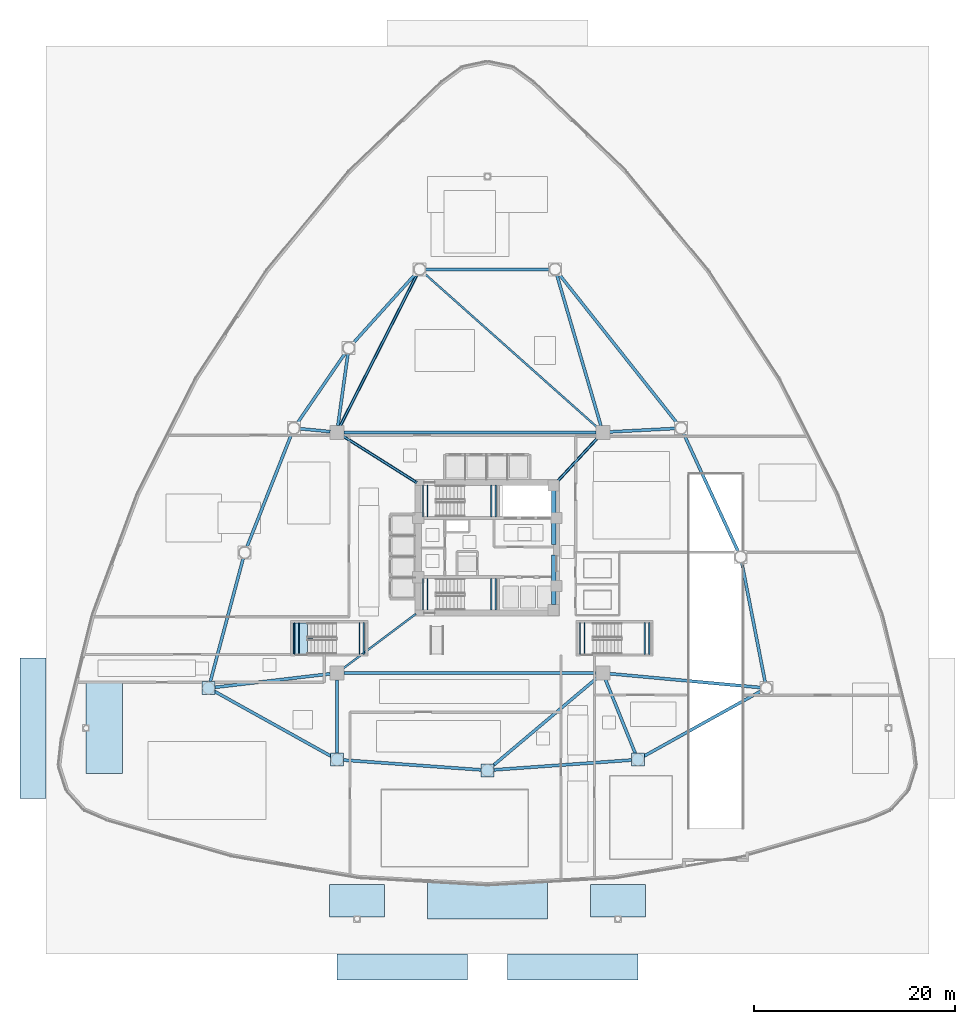
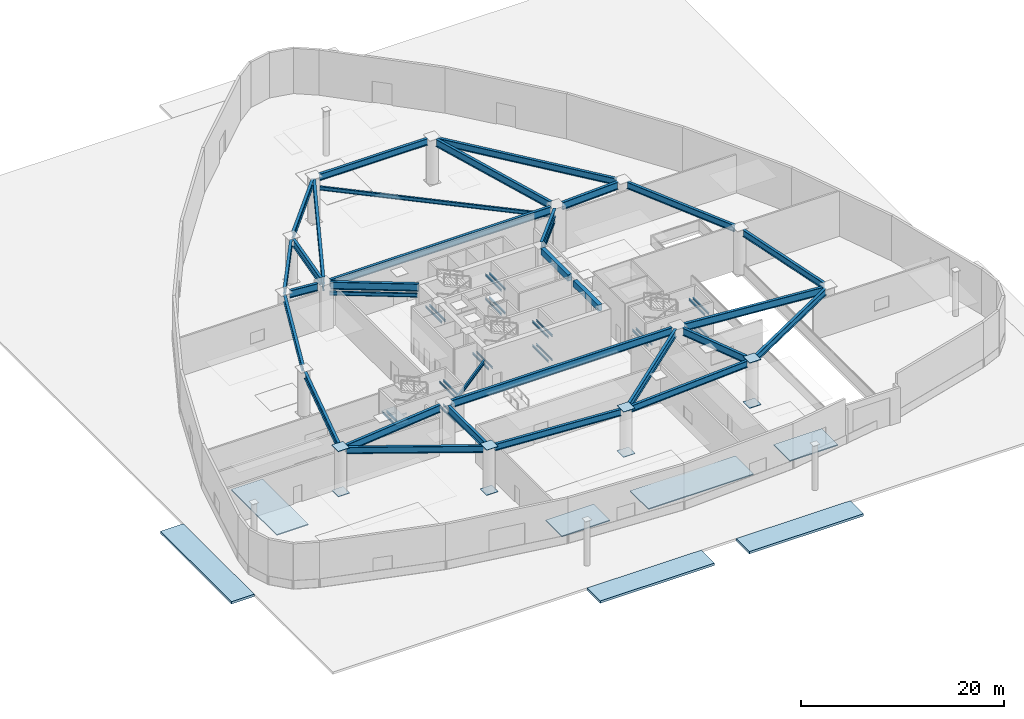
# One storey, part 3 of 13: 57 beams, 12 plates, 4 slabs, 1 element without a shape of its own.
"""IFC4 building model written with IfcOpenShell, lengths in metres."""

from ifc_helpers import new_model, si_unit, direction, frame, origin, origin_2d, place, context, subcontext, project, spatial, polyline, rectangle, i_section, outline, extrude, source, transform, mapped, material, layer, layer_set, material_profile, profile_set, type_object, type_shapes, element, aggregate, save


model = new_model("IFC4")

# Units and contexts
model_context = context("Model", 3, precision=1e-05, world=origin(), true_north=direction((0.0, 1.0)))
body_context = subcontext(model_context, "Body", "Model", "MODEL_VIEW")
ifc_project = project(units=[si_unit("LENGTHUNIT", "METRE"), si_unit("AREAUNIT", "SQUARE_METRE"), si_unit("VOLUMEUNIT", "CUBIC_METRE"), si_unit("PLANEANGLEUNIT", "RADIAN"), si_unit("MASSUNIT", "GRAM", prefix="KILO")], contexts=[model_context])

# Site, building, storey
site_placement = place(None, origin())
site = spatial("IfcSite", under=ifc_project, at=site_placement, CompositionType="ELEMENT")
building_placement = place(site_placement, origin())
building = spatial("IfcBuilding", under=site, at=building_placement, Name="Tavelor Broadcast Tower", CompositionType="ELEMENT")
storey_placement = place(building_placement, origin())
storey = spatial("IfcBuildingStorey", under=building, at=storey_placement, Name="L00", CompositionType="ELEMENT", Elevation=0.0)

# Beams
ifc_material_1 = material(Name="Steel S355", Category="steel")
ifc_material_profile_1 = material_profile(ifc_material_1, i_section(OverallWidth=0.18994140625, OverallDepth=0.449951171875, WebThickness=0.009521484375, FlangeThickness=0.0146484375, at=origin_2d()), Name="IPE 450")
ifc_profile_set_1 = profile_set([ifc_material_profile_1], Name="Steel S355")
beam_type_1 = type_object("IfcBeamType", Name="Acoustic Studio Opening Lintel IPE450", PredefinedType="LINTEL", material=ifc_profile_set_1)
beam_1_placement = place(storey_placement, frame((42.85595703125, 38.39208984375, 4.02490234375), z_axis=(-0.799984146417, -0.600021137529, 0.0), x_axis=(0.600021137529, -0.799984146417, 0.0)))
element("IfcBeam", 1, at=beam_1_placement, inside=storey, type_object=beam_type_1, Name="L00 Studio Opening Lintel 01", PredefinedType="LINTEL", context=body_context, shape_type="SweptSolid", body=[
    extrude(i_section(OverallWidth=0.18994140625, OverallDepth=0.449951171875, WebThickness=0.009521484375, FlangeThickness=0.0146484375, at=origin_2d()), origin(), (0.0, 0.0, 1.0), 9.239990234375),
])
beam_2_placement = place(storey_placement, frame((57.0615234375, 51.69921875, 4.02490234375), z_axis=(0.67884322011, 0.734283244062, 0.0), x_axis=(-0.734283244062, 0.67884322011, 0.0)))
element("IfcBeam", 2, at=beam_2_placement, inside=storey, type_object=beam_type_1, Name="L00 Studio Opening Lintel 03", PredefinedType="LINTEL", context=body_context, shape_type="SweptSolid", body=[
    extrude(i_section(OverallWidth=0.18994140625, OverallDepth=0.449951171875, WebThickness=0.009521484375, FlangeThickness=0.0146484375, at=origin_2d()), origin(), (0.0, 0.0, 1.0), 5.958251953125),
])
beam_3_placement = place(storey_placement, frame((42.824951171875, 51.56298828125, 4.02490234375), z_axis=(-0.845741674304, 0.533592560241, 0.0), x_axis=(-0.533592560241, -0.845741674304, 0.0)))
element("IfcBeam", 3, at=beam_3_placement, inside=storey, type_object=beam_type_1, Name="L00 Studio Opening Lintel 04", PredefinedType="LINTEL", context=body_context, shape_type="SweptSolid", body=[
    extrude(i_section(OverallWidth=0.18994140625, OverallDepth=0.449951171875, WebThickness=0.009521484375, FlangeThickness=0.0146484375, at=origin_2d()), origin(), (0.0, 0.0, 1.0), 8.672119140625),
])
beam_4_placement = place(storey_placement, frame((35.3076171875, 57.1064453125, 4.02490234375), z_axis=(0.45254782721, 0.891740132599, 0.0), x_axis=(-0.891740132599, 0.45254782721, 0.0)))
element("IfcBeam", 4, at=beam_4_placement, inside=storey, type_object=beam_type_1, Name="L00 Studio Opening Lintel 07", PredefinedType="LINTEL", context=body_context, shape_type="SweptSolid", body=[
    extrude(i_section(OverallWidth=0.18994140625, OverallDepth=0.449951171875, WebThickness=0.009521484375, FlangeThickness=0.0146484375, at=origin_2d()), origin(), (0.0, 0.0, 1.0), 16.9638671875),
])
beam_5_placement = place(storey_placement, frame((60.9921875, 56.9521484375, 4.02490234375), z_axis=(-0.746876768255, 0.664962474911, 0.0), x_axis=(-0.664962474911, -0.746876768255, 0.0)))
element("IfcBeam", 5, at=beam_5_placement, inside=storey, type_object=beam_type_1, Name="L00 Studio Opening Lintel 08", PredefinedType="LINTEL", context=body_context, shape_type="SweptSolid", body=[
    extrude(i_section(OverallWidth=0.18994140625, OverallDepth=0.449951171875, WebThickness=0.009521484375, FlangeThickness=0.0146484375, at=origin_2d()), origin(), (0.0, 0.0, 1.0), 23.178955078125),
])
ifc_material_2 = material(Name="Concrete C40/50", Category="concrete")
ifc_material_profile_2 = material_profile(ifc_material_2, rectangle(XDim=0.449951171875, YDim=0.75, at=origin_2d()), Name="RC 450x750")
ifc_profile_set_2 = profile_set([ifc_material_profile_2], Name="Concrete C40/50")
beam_type_2 = type_object("IfcBeamType", Name="Basement Core Trim Beam 450x750", PredefinedType="BEAM", material=ifc_profile_set_2)
beam_6_placement = place(storey_placement, frame((56.60009765625, 45.327880859375, 5.074951171875), z_axis=(0.0, 1.0, 0.0), x_axis=(-1.0, 0.0, 0.0)))
element("IfcBeam", 6, at=beam_6_placement, inside=storey, type_object=beam_type_2, Name="L00 Core East-N Tie Girder", PredefinedType="BEAM", context=body_context, shape_type="SweptSolid", body=[
    extrude(rectangle(XDim=0.449951171875, YDim=0.75, at=origin_2d()), origin(), (0.0, 0.0, 1.0), 5.34423828125),
])
beam_7_placement = place(storey_placement, frame((56.60009765625, 39.327880859375, 5.074951171875), z_axis=(0.0, 1.0, 0.0), x_axis=(-1.0, 0.0, 0.0)))
element("IfcBeam", 7, at=beam_7_placement, inside=storey, type_object=beam_type_2, Name="L00 Core East-S Tie Girder", PredefinedType="BEAM", context=body_context, shape_type="SweptSolid", body=[
    extrude(rectangle(XDim=0.449951171875, YDim=0.75, at=origin_2d()), origin(), (0.0, 0.0, 1.0), 4.944091796875),
])
ifc_material_profile_3 = material_profile(ifc_material_1, i_section(OverallWidth=0.300048828125, OverallDepth=0.800048828125, WebThickness=0.017578125, FlangeThickness=0.032958984375, at=origin_2d()), Name="HEB 800")
ifc_profile_set_3 = profile_set([ifc_material_profile_3], Name="Steel S355")
beam_type_3 = type_object("IfcBeamType", Name="Podium Spandrel Beam HEB800", PredefinedType="SPANDREL", material=ifc_profile_set_3)
beam_8_placement = place(storey_placement, frame((42.85888671875, 72.320068359375, 5.050048828125), z_axis=(-0.669215412935, -0.74306845653, 0.0), x_axis=(0.74306845653, -0.669215412935, 0.0)))
element("IfcBeam", 8, at=beam_8_placement, inside=storey, type_object=beam_type_3, Name="L00 Podium Spandrel Girder 1", PredefinedType="SPANDREL", context=body_context, shape_type="SweptSolid", body=[
    extrude(i_section(OverallWidth=0.300048828125, OverallDepth=0.800048828125, WebThickness=0.017578125, FlangeThickness=0.032958984375, at=origin_2d()), origin(), (0.0, 0.0, 1.0), 9.414794921875),
])
beam_9_placement = place(storey_placement, frame((35.84228515625, 64.414794921875, 5.050048828125), z_axis=(-0.565364008772, -0.82484152271, 0.0), x_axis=(0.82484152271, -0.565364008772, 0.0)))
element("IfcBeam", 9, at=beam_9_placement, inside=storey, type_object=beam_type_3, Name="L00 Podium Spandrel Girder 2", PredefinedType="SPANDREL", context=body_context, shape_type="SweptSolid", body=[
    extrude(i_section(OverallWidth=0.300048828125, OverallDepth=0.800048828125, WebThickness=0.017578125, FlangeThickness=0.032958984375, at=origin_2d()), origin(), (0.0, 0.0, 1.0), 8.516845703125),
])
beam_10_placement = place(storey_placement, frame((30.486083984375, 56.37158203125, 5.050048828125), z_axis=(-0.367164709683, -0.930155941745, 0.0), x_axis=(0.930155941745, -0.367164709683, 0.0)))
element("IfcBeam", 10, at=beam_10_placement, inside=storey, type_object=beam_type_3, Name="L00 Podium Spandrel Girder 3", PredefinedType="SPANDREL", context=body_context, shape_type="SweptSolid", body=[
    extrude(i_section(OverallWidth=0.300048828125, OverallDepth=0.800048828125, WebThickness=0.017578125, FlangeThickness=0.032958984375, at=origin_2d()), origin(), (0.0, 0.0, 1.0), 12.182861328125),
])
beam_11_placement = place(storey_placement, frame((25.650634765625, 43.939697265625, 5.050048828125), z_axis=(-0.257669766751, -0.966233041922, 0.0), x_axis=(0.966233041922, -0.257669766751, 0.0)))
element("IfcBeam", 11, at=beam_11_placement, inside=storey, type_object=beam_type_3, Name="L00 Podium Spandrel Girder 4", PredefinedType="SPANDREL", context=body_context, shape_type="SweptSolid", body=[
    extrude(i_section(OverallWidth=0.300048828125, OverallDepth=0.800048828125, WebThickness=0.017578125, FlangeThickness=0.032958984375, at=origin_2d()), origin(), (0.0, 0.0, 1.0), 12.81201171875),
])
beam_12_placement = place(storey_placement, frame((22.706787109375, 30.718017578125, 5.050048828125), z_axis=(0.873837244076, -0.486218542289, 0.0), x_axis=(0.486218542289, 0.873837244076, 0.0)))
element("IfcBeam", 12, at=beam_12_placement, inside=storey, type_object=beam_type_3, Name="L00 Podium Spandrel Girder 5", PredefinedType="SPANDREL", context=body_context, shape_type="SweptSolid", body=[
    extrude(i_section(OverallWidth=0.300048828125, OverallDepth=0.800048828125, WebThickness=0.017578125, FlangeThickness=0.032958984375, at=origin_2d()), origin(), (0.0, 0.0, 1.0), 13.501953125),
])
for number, where, z_axis, x_axis, name in (
    (13, (35.590576171875, 23.82958984375, 5.050048828125), (0.997456822591, -0.07127332647, 0.0), (0.07127332647, 0.997456822591, 0.0), "L00 Podium Spandrel Girder 6"),
    (14, (50.57861328125, 22.84130859375, 5.050048828125), (0.997456822591, 0.07127332647, 0.0), (-0.07127332647, 0.997456822591, 0.0), "L00 Podium Spandrel Girder 7"),
):
    element("IfcBeam", number, at=place(storey_placement, frame(where, z_axis=z_axis, x_axis=x_axis)), inside=storey, type_object=beam_type_3, Name=name, PredefinedType="SPANDREL", context=body_context, shape_type="SweptSolid", body=[
        extrude(i_section(OverallWidth=0.300048828125, OverallDepth=0.800048828125, WebThickness=0.017578125, FlangeThickness=0.032958984375, at=origin_2d()), origin(), (0.0, 0.0, 1.0), 13.865966796875),
    ])
beam_13_placement = place(storey_placement, frame((65.49462890625, 24.153076171875, 5.050048828125), z_axis=(0.873837244076, 0.486218542289, 0.0), x_axis=(-0.486218542289, 0.873837244076, 0.0)))
element("IfcBeam", 15, at=beam_13_placement, inside=storey, type_object=beam_type_3, Name="L00 Podium Spandrel Girder 8", PredefinedType="SPANDREL", context=body_context, shape_type="SweptSolid", body=[
    extrude(i_section(OverallWidth=0.300048828125, OverallDepth=0.800048828125, WebThickness=0.017578125, FlangeThickness=0.032958984375, at=origin_2d()), origin(), (0.0, 0.0, 1.0), 13.501953125),
])
beam_14_placement = place(storey_placement, frame((77.688720703125, 31.569091796875, 5.050048828125), z_axis=(-0.192144879801, 0.981366570231, 0.0), x_axis=(-0.981366570231, -0.192144879801, 0.0)))
element("IfcBeam", 16, at=beam_14_placement, inside=storey, type_object=beam_type_3, Name="L00 Podium Spandrel Girder 9", PredefinedType="SPANDREL", context=body_context, shape_type="SweptSolid", body=[
    extrude(i_section(OverallWidth=0.300048828125, OverallDepth=0.800048828125, WebThickness=0.017578125, FlangeThickness=0.032958984375, at=origin_2d()), origin(), (0.0, 0.0, 1.0), 12.158447265625),
])
beam_15_placement = place(storey_placement, frame((74.997802734375, 44.596435546875, 5.050048828125), z_axis=(-0.419873312524, 0.90758272429, 0.0), x_axis=(-0.90758272429, -0.419873312524, 0.0)))
element("IfcBeam", 17, at=beam_15_placement, inside=storey, type_object=beam_type_3, Name="L00 Podium Spandrel Girder 10", PredefinedType="SPANDREL", context=body_context, shape_type="SweptSolid", body=[
    extrude(i_section(OverallWidth=0.300048828125, OverallDepth=0.800048828125, WebThickness=0.017578125, FlangeThickness=0.032958984375, at=origin_2d()), origin(), (0.0, 0.0, 1.0), 12.98876953125),
])
beam_16_placement = place(storey_placement, frame((68.940673828125, 57.36572265625, 5.050048828125), z_axis=(-0.620945854653, 0.783853459257, 0.0), x_axis=(-0.783853459257, -0.620945854653, 0.0)))
element("IfcBeam", 18, at=beam_16_placement, inside=storey, type_object=beam_type_3, Name="L00 Podium Spandrel Girder 11", PredefinedType="SPANDREL", context=body_context, shape_type="SweptSolid", body=[
    extrude(i_section(OverallWidth=0.300048828125, OverallDepth=0.800048828125, WebThickness=0.017578125, FlangeThickness=0.032958984375, at=origin_2d()), origin(), (0.0, 0.0, 1.0), 19.0478515625),
])
beam_17_placement = place(storey_placement, frame((56.1728515625, 72.7509765625, 5.050048828125), z_axis=(-1.0, 0.0, 0.0), x_axis=(0.0, -1.0, 0.0)))
element("IfcBeam", 19, at=beam_17_placement, inside=storey, type_object=beam_type_3, Name="L00 Podium Spandrel Girder 12", PredefinedType="SPANDREL", context=body_context, shape_type="SweptSolid", body=[
    extrude(i_section(OverallWidth=0.300048828125, OverallDepth=0.800048828125, WebThickness=0.017578125, FlangeThickness=0.032958984375, at=origin_2d()), origin(), (0.0, 0.0, 1.0), 12.345703125),
])
ifc_material_profile_4 = material_profile(ifc_material_1, i_section(OverallWidth=0.1201171875, OverallDepth=0.239990234375, WebThickness=0.006103515625, FlangeThickness=0.009765625, at=origin_2d()), Name="IPE 240")
ifc_profile_set_4 = profile_set([ifc_material_profile_4], Name="Steel S355")
beam_type_4 = type_object("IfcBeamType", Name="Stairwell Landing Support Trimmer Beam IPE240", PredefinedType="BEAM", material=ifc_profile_set_4)
for number, where, z_axis, x_axis, name in (
    (20, (50.385009765625, 48.06005859375, 1.135009765625), (0.0, 1.0, 0.0), (-1.0, 0.0, 0.0), "L00 Stair Landing Support Beam 5"),
    (21, (50.824951171875, 48.06005859375, 1.135009765625), (0.0, 1.0, 0.0), (-1.0, 0.0, 0.0), "L00 Stair Landing Support Beam 6"),
    (22, (43.574951171875, 48.06005859375, 2.5849609375), (0.0, 1.0, 0.0), (-1.0, 0.0, 0.0), "L00 Stair Landing Support Beam 7"),
    (23, (44.014892578125, 48.06005859375, 2.5849609375), (0.0, 1.0, 0.0), (-1.0, 0.0, 0.0), "L00 Stair Landing Support Beam 8"),
    (24, (50.385009765625, 48.06005859375, 4.034912109375), (0.0, 1.0, 0.0), (-1.0, 0.0, 0.0), "L00 Stair Landing Support Beam 9"),
    (25, (50.824951171875, 48.06005859375, 4.034912109375), (0.0, 1.0, 0.0), (-1.0, 0.0, 0.0), "L00 Stair Landing Support Beam 10"),
    (26, (50.385009765625, 38.760009765625, 1.135009765625), (0.0, 1.0, 0.0), (-1.0, 0.0, 0.0), "L00 Stair Landing Support Beam 219"),
    (27, (50.824951171875, 38.760009765625, 1.135009765625), (0.0, 1.0, 0.0), (-1.0, 0.0, 0.0), "L00 Stair Landing Support Beam 220"),
    (28, (43.574951171875, 38.760009765625, 2.5849609375), (0.0, 1.0, 0.0), (-1.0, 0.0, 0.0), "L00 Stair Landing Support Beam 221"),
    (29, (44.014892578125, 38.760009765625, 2.5849609375), (0.0, 1.0, 0.0), (-1.0, 0.0, 0.0), "L00 Stair Landing Support Beam 222"),
    (30, (50.385009765625, 38.760009765625, 4.034912109375), (0.0, 1.0, 0.0), (-1.0, 0.0, 0.0), "L00 Stair Landing Support Beam 223"),
    (31, (50.824951171875, 38.760009765625, 4.034912109375), (0.0, 1.0, 0.0), (-1.0, 0.0, 0.0), "L00 Stair Landing Support Beam 224"),
    (32, (37.235107421875, 34.360107421875, 1.135009765625), (0.0, 1.0, 0.0), (-1.0, 0.0, 0.0), "L00 Stair Landing Support Beam 415"),
    (33, (37.675048828125, 34.360107421875, 1.135009765625), (0.0, 1.0, 0.0), (-1.0, 0.0, 0.0), "L00 Stair Landing Support Beam 416"),
    (34, (30.77490234375, 34.360107421875, 2.5849609375), (0.0, 1.0, 0.0), (-1.0, 0.0, 0.0), "L00 Stair Landing Support Beam 417"),
    (35, (31.215087890625, 34.360107421875, 2.5849609375), (0.0, 1.0, 0.0), (-1.0, 0.0, 0.0), "L00 Stair Landing Support Beam 418"),
    (36, (37.235107421875, 34.360107421875, 4.034912109375), (0.0, 1.0, 0.0), (-1.0, 0.0, 0.0), "L00 Stair Landing Support Beam 419"),
    (37, (37.675048828125, 34.360107421875, 4.034912109375), (0.0, 1.0, 0.0), (-1.0, 0.0, 0.0), "L00 Stair Landing Support Beam 420"),
    (38, (65.68505859375, 34.360107421875, 1.135009765625), (0.0, 1.0, 0.0), (-1.0, 0.0, 0.0), "L00 Stair Landing Support Beam 443"),
    (39, (66.125, 34.360107421875, 1.135009765625), (0.0, 1.0, 0.0), (-1.0, 0.0, 0.0), "L00 Stair Landing Support Beam 444"),
    (40, (59.22509765625, 34.360107421875, 2.5849609375), (0.0, 1.0, 0.0), (-1.0, 0.0, 0.0), "L00 Stair Landing Support Beam 445"),
    (41, (59.6650390625, 34.360107421875, 2.5849609375), (0.0, 1.0, 0.0), (-1.0, 0.0, 0.0), "L00 Stair Landing Support Beam 446"),
    (42, (65.68505859375, 34.360107421875, 4.034912109375), (0.0, 1.0, 0.0), (-1.0, 0.0, 0.0), "L00 Stair Landing Support Beam 447"),
    (43, (66.125, 34.360107421875, 4.034912109375), (0.0, 1.0, 0.0), (-1.0, 0.0, 0.0), "L00 Stair Landing Support Beam 448"),
):
    element("IfcBeam", number, at=place(storey_placement, frame(where, z_axis=z_axis, x_axis=x_axis)), inside=storey, type_object=beam_type_4, Name=name, PredefinedType="BEAM", context=body_context, shape_type="SweptSolid", body=[
        extrude(i_section(OverallWidth=0.1201171875, OverallDepth=0.239990234375, WebThickness=0.006103515625, FlangeThickness=0.009765625, at=origin_2d()), origin(), (0.0, 0.0, 1.0), 3.179931640625),
    ])
ifc_material_3 = material(Name="Steel S460", Category="steel")
ifc_material_profile_5 = material_profile(ifc_material_3, i_section(OverallWidth=0.300048828125, OverallDepth=0.89990234375, WebThickness=0.0185546875, FlangeThickness=0.034912109375, at=origin_2d()), Name="HEB 900")
ifc_profile_set_5 = profile_set([ifc_material_profile_5], Name="Steel S460")
beam_type_5 = type_object("IfcBeamType", Name="Studio Long-Span Girder HEB900", PredefinedType="BEAM", material=ifc_profile_set_5)
for number, where, z_axis, x_axis, name in (
    (44, (35.679931640625, 32.5, 5.0), (1.0, 0.0, 0.0), (0.0, 1.0, 0.0), "L00 Studio Ring Girder 1"),
    (45, (60.820068359375, 56.5, 5.0), (-1.0, 0.0, 0.0), (0.0, -1.0, 0.0), "L00 Studio Ring Girder 3"),
):
    element("IfcBeam", number, at=place(storey_placement, frame(where, z_axis=z_axis, x_axis=x_axis)), inside=storey, type_object=beam_type_5, Name=name, PredefinedType="BEAM", context=body_context, shape_type="SweptSolid", body=[
        extrude(i_section(OverallWidth=0.300048828125, OverallDepth=0.89990234375, WebThickness=0.0185546875, FlangeThickness=0.034912109375, at=origin_2d()), origin(), (0.0, 0.0, 1.0), 25.14013671875),
    ])
beam_18_placement = place(storey_placement, frame((61.038330078125, 56.000732421875, 5.0), z_axis=(-0.678838365395, -0.734287732205, 0.0), x_axis=(0.734287732205, -0.678838365395, 0.0)))
element("IfcBeam", 46, at=beam_18_placement, inside=storey, type_object=beam_type_5, Name="L00 Core Tie Girder 3", PredefinedType="BEAM", context=body_context, shape_type="SweptSolid", body=[
    extrude(i_section(OverallWidth=0.300048828125, OverallDepth=0.89990234375, WebThickness=0.0185546875, FlangeThickness=0.034912109375, at=origin_2d()), origin(), (0.0, 0.0, 1.0), 6.010009765625),
])
beam_19_placement = place(storey_placement, frame((35.5751953125, 56.13720703125, 5.0), z_axis=(0.845723551993, -0.533621282938, 0.0), x_axis=(0.533621282938, 0.845723551993, 0.0)))
element("IfcBeam", 47, at=beam_19_placement, inside=storey, type_object=beam_type_5, Name="L00 Core Tie Girder 4", PredefinedType="BEAM", context=body_context, shape_type="SweptSolid", body=[
    extrude(i_section(OverallWidth=0.300048828125, OverallDepth=0.89990234375, WebThickness=0.0185546875, FlangeThickness=0.034912109375, at=origin_2d()), origin(), (0.0, 0.0, 1.0), 8.724365234375),
])
beam_20_placement = place(storey_placement, frame((35.3076171875, 57.1064453125, 5.0), z_axis=(0.45254782721, 0.891740132599, 0.0), x_axis=(-0.891740132599, 0.45254782721, 0.0)))
element("IfcBeam", 48, at=beam_20_placement, inside=storey, type_object=beam_type_5, Name="L00 Clear-Span Studio Girder 1", PredefinedType="BEAM", context=body_context, shape_type="SweptSolid", body=[
    extrude(i_section(OverallWidth=0.300048828125, OverallDepth=0.89990234375, WebThickness=0.0185546875, FlangeThickness=0.034912109375, at=origin_2d()), origin(), (0.0, 0.0, 1.0), 16.9638671875),
])
beam_21_placement = place(storey_placement, frame((35.093994140625, 57.173583984375, 5.0), z_axis=(0.138070971987, 0.990422337538, 0.0), x_axis=(-0.990422337538, 0.138070971987, 0.0)))
element("IfcBeam", 49, at=beam_21_placement, inside=storey, type_object=beam_type_5, Name="L00 Clear-Span Studio Girder 2", PredefinedType="BEAM", context=body_context, shape_type="SweptSolid", body=[
    extrude(i_section(OverallWidth=0.300048828125, OverallDepth=0.89990234375, WebThickness=0.0185546875, FlangeThickness=0.034912109375, at=origin_2d()), origin(), (0.0, 0.0, 1.0), 7.21435546875),
])
beam_22_placement = place(storey_placement, frame((34.322998046875, 56.564697265625, 5.0), z_axis=(-0.995460626314, 0.095174268889, 0.0), x_axis=(-0.095174268889, -0.995460626314, 0.0)))
element("IfcBeam", 50, at=beam_22_placement, inside=storey, type_object=beam_type_5, Name="L00 Clear-Span Studio Girder 3", PredefinedType="BEAM", context=body_context, shape_type="SweptSolid", body=[
    extrude(i_section(OverallWidth=0.300048828125, OverallDepth=0.89990234375, WebThickness=0.0185546875, FlangeThickness=0.034912109375, at=origin_2d()), origin(), (0.0, 0.0, 1.0), 3.060302734375),
])
beam_23_placement = place(storey_placement, frame((34.32470703125, 32.4208984375, 5.0), z_axis=(-0.993201817643, -0.116405109127, 0.0), x_axis=(0.116405109127, -0.993201817643, 0.0)))
element("IfcBeam", 51, at=beam_23_placement, inside=storey, type_object=beam_type_5, Name="L00 Clear-Span Studio Girder 5", PredefinedType="BEAM", context=body_context, shape_type="SweptSolid", body=[
    extrude(i_section(OverallWidth=0.300048828125, OverallDepth=0.89990234375, WebThickness=0.0185546875, FlangeThickness=0.034912109375, at=origin_2d()), origin(), (0.0, 0.0, 1.0), 11.627685546875),
])
beam_24_placement = place(storey_placement, frame((35.0009765625, 31.820068359375, 5.0), z_axis=(0.00139146433, -0.999999031913, 0.0), x_axis=(0.999999031913, 0.00139146433, 0.0)))
element("IfcBeam", 52, at=beam_24_placement, inside=storey, type_object=beam_type_5, Name="L00 Clear-Span Studio Girder 6", PredefinedType="BEAM", context=body_context, shape_type="SweptSolid", body=[
    extrude(i_section(OverallWidth=0.300048828125, OverallDepth=0.89990234375, WebThickness=0.0185546875, FlangeThickness=0.034912109375, at=origin_2d()), origin(), (0.0, 0.0, 1.0), 7.369140625),
])
beam_25_placement = place(storey_placement, frame((60.980224609375, 32.0615234375, 5.0), z_axis=(-0.764399771003, -0.644742576608, 0.0), x_axis=(0.644742576608, -0.764399771003, 0.0)))
element("IfcBeam", 53, at=beam_25_placement, inside=storey, type_object=beam_type_5, Name="L00 Clear-Span Studio Girder 7", PredefinedType="BEAM", context=body_context, shape_type="SweptSolid", body=[
    extrude(i_section(OverallWidth=0.300048828125, OverallDepth=0.89990234375, WebThickness=0.0185546875, FlangeThickness=0.034912109375, at=origin_2d()), origin(), (0.0, 0.0, 1.0), 13.784423828125),
])
beam_26_placement = place(storey_placement, frame((61.7548828125, 31.86962890625, 5.0), z_axis=(0.374735912078, -0.927131595945, 0.0), x_axis=(0.927131595945, 0.374735912078, 0.0)))
element("IfcBeam", 54, at=beam_26_placement, inside=storey, type_object=beam_type_5, Name="L00 Clear-Span Studio Girder 8", PredefinedType="BEAM", context=body_context, shape_type="SweptSolid", body=[
    extrude(i_section(OverallWidth=0.300048828125, OverallDepth=0.89990234375, WebThickness=0.0185546875, FlangeThickness=0.034912109375, at=origin_2d()), origin(), (0.0, 0.0, 1.0), 8.04736328125),
])
beam_27_placement = place(storey_placement, frame((62.177001953125, 32.437744140625, 5.0), z_axis=(0.995791126224, -0.09165169357, 0.0), x_axis=(0.09165169357, 0.995791126224, 0.0)))
element("IfcBeam", 55, at=beam_27_placement, inside=storey, type_object=beam_type_5, Name="L00 Clear-Span Studio Girder 9", PredefinedType="BEAM", context=body_context, shape_type="SweptSolid", body=[
    extrude(i_section(OverallWidth=0.300048828125, OverallDepth=0.89990234375, WebThickness=0.0185546875, FlangeThickness=0.034912109375, at=origin_2d()), origin(), (0.0, 0.0, 1.0), 15.10888671875),
])
beam_28_placement = place(storey_placement, frame((62.17919921875, 56.535888671875, 5.0), z_axis=(0.998614739388, 0.052617509218, 0.0), x_axis=(-0.052617509218, 0.998614739388, 0.0)))
element("IfcBeam", 56, at=beam_28_placement, inside=storey, type_object=beam_type_5, Name="L00 Clear-Span Studio Girder 11", PredefinedType="BEAM", context=body_context, shape_type="SweptSolid", body=[
    extrude(i_section(OverallWidth=0.300048828125, OverallDepth=0.89990234375, WebThickness=0.0185546875, FlangeThickness=0.034912109375, at=origin_2d()), origin(), (0.0, 0.0, 1.0), 6.551513671875),
])
beam_29_placement = place(storey_placement, frame((61.309326171875, 57.152587890625, 5.0), z_axis=(-0.280403801571, 0.959882132381, 0.0), x_axis=(-0.959882132381, -0.280403801571, 0.0)))
element("IfcBeam", 57, at=beam_29_placement, inside=storey, type_object=beam_type_5, Name="L00 Clear-Span Studio Girder 12", PredefinedType="BEAM", context=body_context, shape_type="SweptSolid", body=[
    extrude(i_section(OverallWidth=0.300048828125, OverallDepth=0.89990234375, WebThickness=0.0185546875, FlangeThickness=0.034912109375, at=origin_2d()), origin(), (0.0, 0.0, 1.0), 15.67041015625),
])

# Slabs
ifc_layer_1 = layer(ifc_material_2, 0.280029296875)
ifc_layer_set_1 = layer_set([ifc_layer_1], Name="Concrete C40/50")
slab_type_1 = type_object("IfcSlabType", Name="Plaza and Driveway Apron Paving Slab 280 mm", PredefinedType="USERDEFINED", material=ifc_layer_set_1)
slab_1_placement = place(storey_placement, frame((0.0, 0.0, -0.280029296875)))
element("IfcSlab", 58, at=slab_1_placement, inside=storey, type_object=slab_type_1, Name="L00 Perimeter Street Paving Pad 1", ObjectType="PAVING", PredefinedType="USERDEFINED", context=body_context, shape_type="SweptSolid", body=[
    extrude(outline(polyline([(3.39990234375, 20.0), (6.0, 20.0), (6.0, 34.0), (3.39990234375, 34.0), (3.39990234375, 20.0)])), origin(), (0.0, 0.0, 1.0), 0.280029296875),
])
slab_2_placement = place(storey_placement, frame((0.0, 0.0, -0.280029296875)))
element("IfcSlab", 59, at=slab_2_placement, inside=storey, type_object=slab_type_1, Name="L00 Perimeter Street Paving Pad 3", ObjectType="PAVING", PredefinedType="USERDEFINED", context=body_context, shape_type="SweptSolid", body=[
    extrude(outline(polyline([(35.0, 1.89990234375), (48.0, 1.89990234375), (48.0, 4.5), (35.0, 4.5), (35.0, 1.89990234375)])), origin(), (0.0, 0.0, 1.0), 0.280029296875),
])
slab_3_placement = place(storey_placement, frame((0.0, 0.0, -0.280029296875)))
element("IfcSlab", 60, at=slab_3_placement, inside=storey, type_object=slab_type_1, Name="L00 Perimeter Street Paving Pad 4", ObjectType="PAVING", PredefinedType="USERDEFINED", context=body_context, shape_type="SweptSolid", body=[
    extrude(outline(polyline([(52.0, 1.89990234375), (65.0, 1.89990234375), (65.0, 4.5), (52.0, 4.5), (52.0, 1.89990234375)])), origin(), (0.0, 0.0, 1.0), 0.280029296875),
])

# Stair, slab
stair_type = type_object("IfcStairType", Name="Reinforced Concrete Protected Dogleg Stair 1450 mm", PredefinedType="HALF_TURN_STAIR", material=ifc_material_2)
stair_placement = place(storey_placement, origin())
stair = element("IfcStair", 61, at=stair_placement, inside=storey, type_object=stair_type, Name="L00 Podium West Exit Stair ST3", PredefinedType="HALF_TURN_STAIR")
ifc_layer_2 = layer(ifc_material_2, 0.199951171875)
ifc_layer_set_2 = layer_set([ifc_layer_2], Name="Concrete C40/50")
slab_type_2 = type_object("IfcSlabType", Name="Reinforced Concrete Stair Half-Landing Slab 200 mm", PredefinedType="LANDING", material=ifc_layer_set_2)
slab_4_placement = place(storey_placement, frame((0.0, 0.0, 2.699951171875)))
slab_4 = element("IfcSlab", 62, at=slab_4_placement, type_object=slab_type_2, Name="ST3 landing 2", PredefinedType="LANDING", context=body_context, shape_type="SweptSolid", body=[
    extrude(outline(polyline([(30.594970703125, 34.39501953125), (32.054931640625, 34.39501953125), (32.054931640625, 35.889892578125), (32.594970703125, 35.889892578125), (32.594970703125, 36.010009765625), (32.054931640625, 36.010009765625), (32.054931640625, 37.5048828125), (30.594970703125, 37.5048828125), (30.594970703125, 34.39501953125)])), origin(), (0.0, 0.0, 1.0), 0.199951171875),
])
aggregate(stair, [slab_4])

# Plates
ifc_layer_3 = layer(ifc_material_3, 0.050048828125)
ifc_layer_set_3 = layer_set([ifc_layer_3], Name="Steel S460")
plate_type_1 = type_object("IfcPlateType", Name="Tube Hollow-End Cap Plate KN05 700x700x50", PredefinedType="USERDEFINED", material=ifc_layer_set_3)
shared_shape_1 = source(origin(), body_context, "Body", "SweptSolid", [
    extrude(rectangle(XDim=1.299072265625, YDim=1.299072265625, at=origin_2d()), origin(), (0.0, 0.0, 1.0), 0.054931640625),
])
type_shapes(plate_type_1, [shared_shape_1])
for number, where, z_axis, x_axis, name in (
    (63, (22.199951171875, 31.0, -0.02734375), (0.0, 0.0, 1.0), (1.0, 0.0, 0.0), "L00 Hollow End Cap Plate KN05 #72"),
    (64, (22.199951171875, 31.0, 5.42236328125), (0.0, 0.0, 1.0), (1.0, 0.0, 0.0), "L00 Hollow End Cap Plate KN05 #73"),
    (65, (35.01220703125, 23.87109375, -0.02734375), (0.0, 0.0, 1.0), (1.0, 0.0, 0.0), "L00 Hollow End Cap Plate KN05 #74"),
    (66, (35.01220703125, 23.87109375, 5.42236328125), (0.0, 0.0, 1.0), (1.0, 0.0, 0.0), "L00 Hollow End Cap Plate KN05 #75"),
    (67, (50.0, 22.800048828125, -0.02734375), (0.0, 0.0, 1.0), (1.0, 0.0, 0.0), "L00 Hollow End Cap Plate KN05 #76"),
    (68, (50.0, 22.800048828125, 5.42236328125), (0.0, 0.0, 1.0), (1.0, 0.0, 0.0), "L00 Hollow End Cap Plate KN05 #77"),
    (69, (64.98779296875, 23.87109375, -0.02734375), (0.0, 0.0, 1.0), (1.0, 0.0, 0.0), "L00 Hollow End Cap Plate KN05 #78"),
    (70, (64.98779296875, 23.87109375, 5.42236328125), (0.0, 0.0, 1.0), (1.0, 0.0, 0.0), "L00 Hollow End Cap Plate KN05 #79"),
):
    element("IfcPlate", number, at=place(storey_placement, frame(where, z_axis=z_axis, x_axis=x_axis)), inside=storey, type_object=plate_type_1, Name=name, ObjectType="CAP PLATE", PredefinedType="USERDEFINED", context=body_context, shape_type="MappedRepresentation", body=[
        mapped(shared_shape_1, transform((0.0, 0.0, 0.0), scale=1.0)),
    ])
ifc_material_4 = material(Name="Copper-Bronze Anodized Aluminium", Category="aluminium")
ifc_layer_4 = layer(ifc_material_4, 0.1201171875)
ifc_layer_set_4 = layer_set([ifc_layer_4], Name="Copper-Bronze Anodized Aluminium")
plate_type_2 = type_object("IfcPlateType", Name="Cantilevered Entrance Weather Canopy Plate 120 mm", PredefinedType="USERDEFINED", material=ifc_layer_set_4)
shared_shape_2 = source(origin(), body_context, "Body", "SweptSolid", [
    extrude(rectangle(XDim=12.0, YDim=3.60009765625, at=origin_2d()), origin(), (0.0, 0.0, 1.0), 0.1201171875),
])
plate_1_placement = place(storey_placement, frame((50.0, 9.800048828125, 4.139892578125), z_axis=(0.0, 0.0, 1.0), x_axis=(1.0, 0.0, 0.0)))
element("IfcPlate", 71, at=plate_1_placement, inside=storey, type_object=plate_type_2, Name="L00 Plaza Entrance Weather Canopy 01", ObjectType="ENTRANCE CANOPY", PredefinedType="USERDEFINED", context=body_context, shape_type="MappedRepresentation", body=[
    mapped(shared_shape_2, transform((0.0, 0.0, 0.0), scale=1.0)),
])
shared_shape_3 = source(origin(), body_context, "Body", "SweptSolid", [
    extrude(rectangle(XDim=3.60009765625, YDim=9.0, at=origin_2d()), origin(), (0.0, 0.0, 1.0), 0.1201171875),
])
plate_2_placement = place(storey_placement, frame((11.800048828125, 27.0, 4.139892578125), z_axis=(0.0, 0.0, 1.0), x_axis=(1.0, 0.0, 0.0)))
element("IfcPlate", 72, at=plate_2_placement, inside=storey, type_object=plate_type_2, Name="L00 Plaza Entrance Weather Canopy 03", ObjectType="ENTRANCE CANOPY", PredefinedType="USERDEFINED", context=body_context, shape_type="MappedRepresentation", body=[
    mapped(shared_shape_3, transform((0.0, 0.0, 0.0), scale=1.0)),
])
shared_shape_4 = source(origin(), body_context, "Body", "SweptSolid", [
    extrude(rectangle(XDim=5.5, YDim=3.199951171875, at=origin_2d()), origin(), (0.0, 0.0, 1.0), 0.1201171875),
])
type_shapes(plate_type_2, [shared_shape_2, shared_shape_3, shared_shape_4])
for number, where, z_axis, x_axis, name in (
    (73, (37.0, 9.800048828125, 4.139892578125), (0.0, 0.0, 1.0), (1.0, 0.0, 0.0), "L00 Plaza Entrance Weather Canopy 05"),
    (74, (63.0, 9.800048828125, 4.139892578125), (0.0, 0.0, 1.0), (1.0, 0.0, 0.0), "L00 Plaza Entrance Weather Canopy 06"),
):
    element("IfcPlate", number, at=place(storey_placement, frame(where, z_axis=z_axis, x_axis=x_axis)), inside=storey, type_object=plate_type_2, Name=name, ObjectType="ENTRANCE CANOPY", PredefinedType="USERDEFINED", context=body_context, shape_type="MappedRepresentation", body=[
        mapped(shared_shape_4, transform((0.0, 0.0, 0.0), scale=1.0)),
    ])

save(model, "model.ifc")
